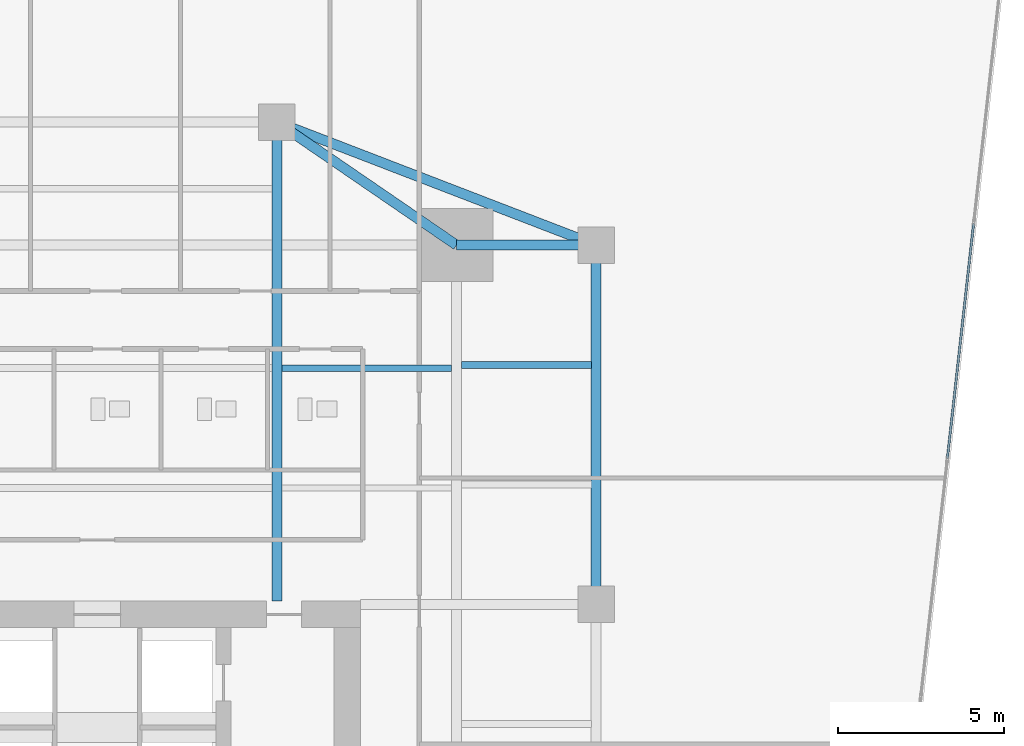
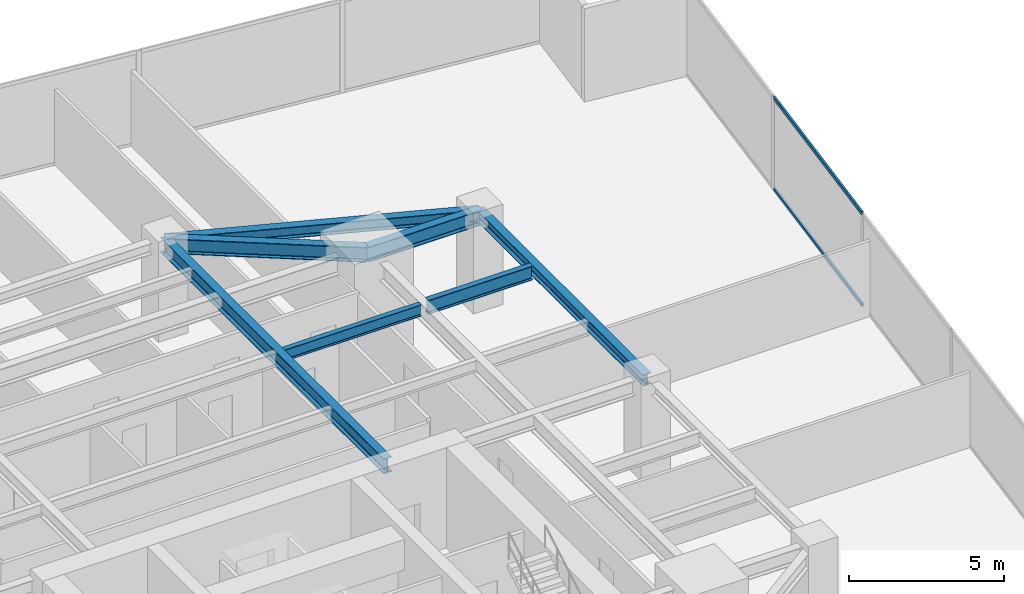
# One storey, part 20 of 28: 7 beams, 2 members, 1 element without a shape of its own.
"""IFC4 building model written with IfcOpenShell, lengths in metres."""

from ifc_helpers import new_model, si_unit, direction, frame, origin, origin_2d, place, context, subcontext, project, spatial, hollow_rectangle, i_section, extrude, source, transform, mapped, material, material_profile, profile_set, type_object, type_shapes, element, aggregate, save


model = new_model("IFC4")

# Units and contexts
model_context = context("Model", 3, precision=1e-05, world=origin(), true_north=direction((0.0, 1.0)))
body_context = subcontext(model_context, "Body", "Model", "MODEL_VIEW")
ifc_project = project(units=[si_unit("LENGTHUNIT", "METRE"), si_unit("AREAUNIT", "SQUARE_METRE"), si_unit("VOLUMEUNIT", "CUBIC_METRE"), si_unit("PLANEANGLEUNIT", "RADIAN"), si_unit("MASSUNIT", "GRAM", prefix="KILO")], contexts=[model_context])

# Site, building, storey
site_placement = place(None, origin())
site = spatial("IfcSite", under=ifc_project, at=site_placement, CompositionType="ELEMENT")
building_placement = place(site_placement, origin())
building = spatial("IfcBuilding", under=site, at=building_placement, Name="Krantzveldt Concourse Tower", CompositionType="ELEMENT")
storey_placement = place(building_placement, frame((0.0, 0.0, 64.5)))
storey = spatial("IfcBuildingStorey", under=building, at=storey_placement, Name="L15", CompositionType="ELEMENT", Elevation=64.5)

# Beams
ifc_material_1 = material(Name="Steel S355JR", Category="steel")
ifc_material_profile_1 = material_profile(ifc_material_1, i_section(OverallWidth=0.300048828125, OverallDepth=0.590087890625, WebThickness=0.012939453125, FlangeThickness=0.02490234375, FilletRadius=0.027099609375, at=origin_2d()), Name="Steel S355JR", Category="steel")
ifc_profile_set_1 = profile_set([ifc_material_profile_1], Name="Steel S355JR - HEA 600")
beam_type_1 = type_object("IfcBeamType", Name="BM-B-HEA600", PredefinedType="BEAM", material=ifc_profile_set_1)
shared_shape_1 = source(origin(), body_context, "Body", "SweptSolid", [
    extrude(i_section(OverallWidth=0.300048828125, OverallDepth=0.590087890625, WebThickness=0.012939453125, FlangeThickness=0.02490234375, FilletRadius=0.027099609375, at=origin_2d()), origin(), (0.0, 0.0, 1.0), 14.39990234375),
])
beam_1_placement = place(storey_placement, frame((41.39990234375, 26.800048828125, 3.375), z_axis=(0.0, 1.0, 0.0), x_axis=(-1.0, 0.0, 0.0)))
element("IfcBeam", 1, at=beam_1_placement, inside=storey, type_object=beam_type_1, Name="L15 Tower Girder BG-CNE", PredefinedType="BEAM", context=body_context, shape_type="MappedRepresentation", body=[
    mapped(shared_shape_1, transform((0.0, 0.0, 0.0), x_axis=(1.0, 0.0, 0.0), y_axis=(0.0, 1.0, 0.0), z_axis=(0.0, 0.0, 1.0), scale=1.0)),
])
ifc_material_profile_2 = material_profile(ifc_material_1, i_section(OverallWidth=0.300048828125, OverallDepth=0.43994140625, WebThickness=0.011474609375, FlangeThickness=0.02099609375, FilletRadius=0.027099609375, at=origin_2d()), Name="Steel S355JR", Category="steel")
ifc_profile_set_2 = profile_set([ifc_material_profile_2], Name="Steel S355JR - HEA 450")
beam_type_2 = type_object("IfcBeamType", Name="BM-SP-HEA450", PredefinedType="SPANDREL", material=ifc_profile_set_2)
shared_shape_2 = source(origin(), body_context, "Body", "SweptSolid", [
    extrude(i_section(OverallWidth=0.300048828125, OverallDepth=0.43994140625, WebThickness=0.011474609375, FlangeThickness=0.02099609375, FilletRadius=0.027099609375, at=origin_2d()), origin(), (0.0, 0.0, 1.0), 10.800048828125),
])
beam_2_placement = place(storey_placement, frame((51.0, 37.5, 3.449951171875), z_axis=(0.0, -1.0, 0.0), x_axis=(1.0, 0.0, 0.0)))
element("IfcBeam", 2, at=beam_2_placement, inside=storey, type_object=beam_type_2, Name="L15 Tower Girder SP-R06", PredefinedType="SPANDREL", context=body_context, shape_type="MappedRepresentation", body=[
    mapped(shared_shape_2, transform((0.0, 0.0, 0.0), x_axis=(1.0, 0.0, 0.0), y_axis=(0.0, 1.0, 0.0), z_axis=(0.0, 0.0, 1.0), scale=1.0)),
])
shared_shape_3 = source(origin(), body_context, "Body", "SweptSolid", [
    extrude(i_section(OverallWidth=0.300048828125, OverallDepth=0.43994140625, WebThickness=0.011474609375, FlangeThickness=0.02099609375, FilletRadius=0.027099609375, at=origin_2d()), origin(), (0.0, 0.0, 1.0), 10.288330078125),
])
type_shapes(beam_type_2, [shared_shape_2, shared_shape_3])
beam_3_placement = place(storey_placement, frame((41.39990234375, 41.199951171875, 3.449951171875), z_axis=(0.933097690408, -0.359622997257, 0.0), x_axis=(0.359622997257, 0.933097690408, 0.0)))
element("IfcBeam", 3, at=beam_3_placement, inside=storey, type_object=beam_type_2, Name="L15 Tower Girder SP-R05", PredefinedType="SPANDREL", context=body_context, shape_type="MappedRepresentation", body=[
    mapped(shared_shape_3, transform((0.0, 0.0, 0.0), x_axis=(1.0, 0.0, 0.0), y_axis=(0.0, 1.0, 0.0), z_axis=(0.0, 0.0, 1.0), scale=1.0)),
])
shared_shape_4 = source(origin(), body_context, "Body", "SweptSolid", [
    extrude(i_section(OverallWidth=0.300048828125, OverallDepth=0.590087890625, WebThickness=0.012939453125, FlangeThickness=0.02490234375, FilletRadius=0.027099609375, at=origin_2d()), origin(), (0.0, 0.0, 1.0), 4.199951171875),
])
beam_4_placement = place(storey_placement, frame((46.800048828125, 37.5, 3.375), z_axis=(1.0, 0.0, 0.0), x_axis=(0.0, 1.0, 0.0)))
element("IfcBeam", 4, at=beam_4_placement, inside=storey, type_object=beam_type_1, Name="L15 Tower Girder BR-RR3", PredefinedType="BEAM", context=body_context, shape_type="MappedRepresentation", body=[
    mapped(shared_shape_4, transform((0.0, 0.0, 0.0), x_axis=(1.0, 0.0, 0.0), y_axis=(0.0, 1.0, 0.0), z_axis=(0.0, 0.0, 1.0), scale=1.0)),
])
shared_shape_5 = source(origin(), body_context, "Body", "SweptSolid", [
    extrude(i_section(OverallWidth=0.300048828125, OverallDepth=0.590087890625, WebThickness=0.012939453125, FlangeThickness=0.02490234375, FilletRadius=0.027099609375, at=origin_2d()), origin(), (0.0, 0.0, 1.0), 6.546142578125),
])
type_shapes(beam_type_1, [shared_shape_1, shared_shape_4, shared_shape_5])
beam_5_placement = place(storey_placement, frame((46.800048828125, 37.5, 3.375), z_axis=(-0.824942999484, 0.565215930068, 0.0), x_axis=(-0.565215930068, -0.824942999484, 0.0)))
element("IfcBeam", 5, at=beam_5_placement, inside=storey, type_object=beam_type_1, Name="L15 Tower Girder BR-RR4", PredefinedType="BEAM", context=body_context, shape_type="MappedRepresentation", body=[
    mapped(shared_shape_5, transform((0.0, 0.0, 0.0), x_axis=(1.0, 0.0, 0.0), y_axis=(0.0, 1.0, 0.0), z_axis=(0.0, 0.0, 1.0), scale=1.0)),
])
ifc_material_profile_3 = material_profile(ifc_material_1, i_section(OverallWidth=0.18994140625, OverallDepth=0.449951171875, WebThickness=0.009521484375, FlangeThickness=0.0146484375, FilletRadius=0.02099609375, at=origin_2d()), Name="Steel S355JR", Category="steel")
ifc_profile_set_3 = profile_set([ifc_material_profile_3], Name="Steel S355JR - IPE 450")
beam_type_3 = type_object("IfcBeamType", Name="BM-J-IPE450", PredefinedType="JOIST", material=ifc_profile_set_3)
shared_shape_6 = source(origin(), body_context, "Body", "SweptSolid", [
    extrude(i_section(OverallWidth=0.18994140625, OverallDepth=0.449951171875, WebThickness=0.009521484375, FlangeThickness=0.0146484375, FilletRadius=0.02099609375, at=origin_2d()), origin(), (0.0, 0.0, 1.0), 5.099853515625),
])
type_shapes(beam_type_3, [shared_shape_6])
beam_6_placement = place(storey_placement, frame((41.550048828125, 33.800048828125, 3.445068359375), z_axis=(1.0, 0.0, 0.0), x_axis=(0.0, 1.0, 0.0)))
element("IfcBeam", 6, at=beam_6_placement, inside=storey, type_object=beam_type_3, Name="L15 Secondary Floor Joist JN-E2", PredefinedType="JOIST", context=body_context, shape_type="MappedRepresentation", body=[
    mapped(shared_shape_6, transform((0.0, 0.0, 0.0), x_axis=(1.0, 0.0, 0.0), y_axis=(0.0, 1.0, 0.0), z_axis=(0.0, 0.0, 1.0), scale=1.0)),
])
ifc_material_profile_4 = material_profile(ifc_material_1, i_section(OverallWidth=0.2099609375, OverallDepth=0.550048828125, WebThickness=0.010986328125, FlangeThickness=0.01708984375, FilletRadius=0.02392578125, at=origin_2d()), Name="Steel S355JR", Category="steel")
ifc_profile_set_4 = profile_set([ifc_material_profile_4], Name="Steel S355JR - IPE 550")
beam_type_4 = type_object("IfcBeamType", Name="BM-J-IPE550", PredefinedType="JOIST", material=ifc_profile_set_4)
shared_shape_7 = source(origin(), body_context, "Body", "SweptSolid", [
    extrude(i_section(OverallWidth=0.2099609375, OverallDepth=0.550048828125, WebThickness=0.010986328125, FlangeThickness=0.01708984375, FilletRadius=0.02392578125, at=origin_2d()), origin(), (0.0, 0.0, 1.0), 3.900146484375),
])
type_shapes(beam_type_4, [shared_shape_7])
beam_7_placement = place(storey_placement, frame((46.949951171875, 33.89990234375, 3.39501953125), z_axis=(1.0, 0.0, 0.0), x_axis=(0.0, 1.0, 0.0)))
element("IfcBeam", 7, at=beam_7_placement, inside=storey, type_object=beam_type_4, Name="L15 Secondary Floor Joist JE-4", PredefinedType="JOIST", context=body_context, shape_type="MappedRepresentation", body=[
    mapped(shared_shape_7, transform((0.0, 0.0, 0.0), x_axis=(1.0, 0.0, 0.0), y_axis=(0.0, 1.0, 0.0), z_axis=(0.0, 0.0, 1.0), scale=1.0)),
])

# Curtain wall, members
ifc_material_2 = material(Name="Anodised aluminium 6063-T6", Category="aluminium")
curtain_wall_type = type_object("IfcCurtainWallType", Name="CW2", PredefinedType="USERDEFINED", material=ifc_material_2)
curtain_wall_placement = place(storey_placement, origin())
curtain_wall = element("IfcCurtainWall", 8, at=curtain_wall_placement, inside=storey, type_object=curtain_wall_type, Name="CW-L15-F07", ObjectType="UNITISED CURTAIN WALL", PredefinedType="USERDEFINED")
ifc_material_profile_5 = material_profile(ifc_material_2, hollow_rectangle(XDim=0.070068359375, YDim=0.139892578125, WallThickness=0.0048828125, at=origin_2d()), Name="Anodised aluminium 6063-T6", Category="aluminium")
ifc_profile_set_5 = profile_set([ifc_material_profile_5], Name="Anodised aluminium 6063-T6 - ALU-TRAN 140x70x5")
member_type = type_object("IfcMemberType", Name="CW-TRN-150", PredefinedType="USERDEFINED", material=ifc_profile_set_5)
shared_shape_8 = source(origin(), body_context, "Body", "SweptSolid", [
    extrude(hollow_rectangle(XDim=0.070068359375, YDim=0.139892578125, WallThickness=0.0048828125, at=origin_2d()), origin(), (0.0, 0.0, 1.0), 7.0966796875),
])
type_shapes(member_type, [shared_shape_8])
member_1_placement = place(storey_placement, frame((61.5556640625, 31.09130859375, 0.034912109375), z_axis=(0.111016768449, 0.993818533296, 0.0), x_axis=(-0.993818533296, 0.111016768449, 0.0)))
member_1 = element("IfcMember", 9, at=member_1_placement, type_object=member_type, Name="CW-Z12 transom 5.1", ObjectType="TRANSOM", PredefinedType="USERDEFINED", context=body_context, shape_type="MappedRepresentation", body=[
    mapped(shared_shape_8, transform((0.0, 0.0, 0.0), x_axis=(1.0, 0.0, 0.0), y_axis=(0.0, 1.0, 0.0), z_axis=(0.0, 0.0, 1.0), scale=1.0)),
])
member_2_placement = place(storey_placement, frame((61.5556640625, 31.09130859375, 3.635009765625), z_axis=(0.111016768449, 0.993818533296, 0.0), x_axis=(-0.993818533296, 0.111016768449, 0.0)))
member_2 = element("IfcMember", 10, at=member_2_placement, type_object=member_type, Name="CW-Z12 transom 5.2", ObjectType="TRANSOM", PredefinedType="USERDEFINED", context=body_context, shape_type="MappedRepresentation", body=[
    mapped(shared_shape_8, transform((0.0, 0.0, 0.0), x_axis=(1.0, 0.0, 0.0), y_axis=(0.0, 1.0, 0.0), z_axis=(0.0, 0.0, 1.0), scale=1.0)),
])
aggregate(curtain_wall, [member_1, member_2])

save(model, "model.ifc")
